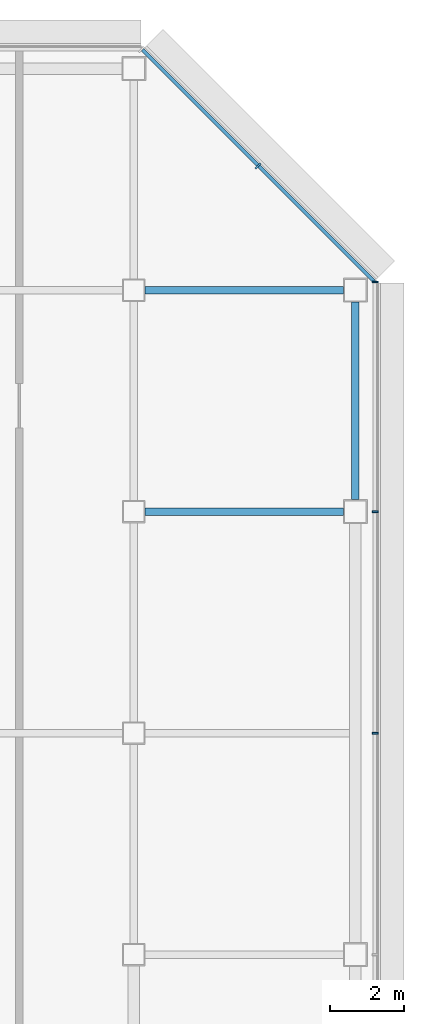
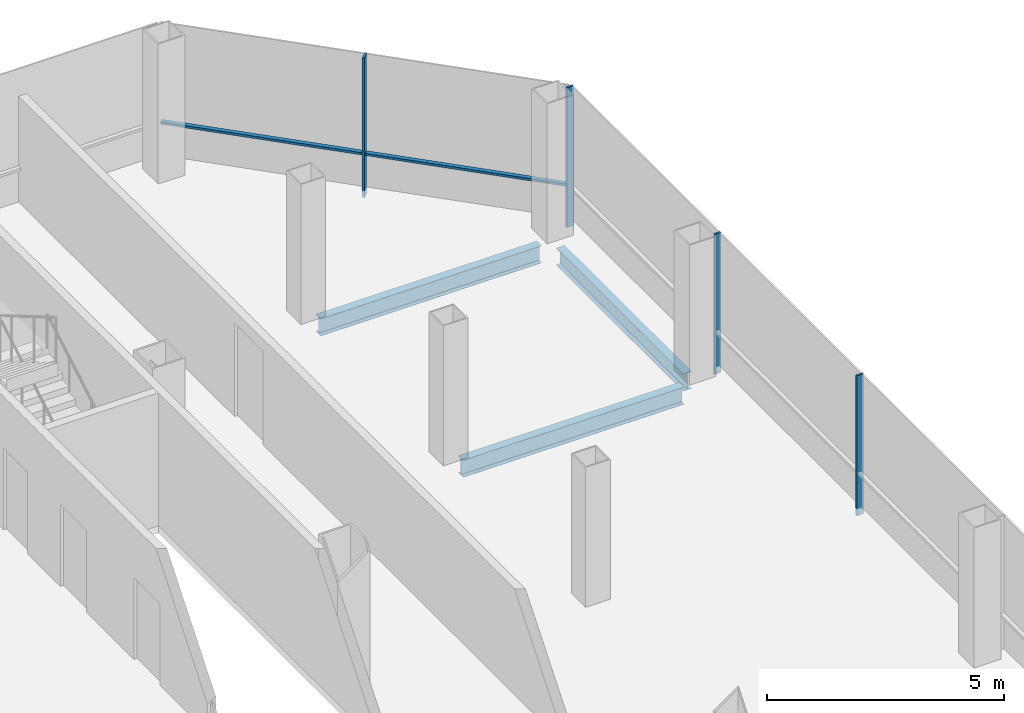
# One storey, part 18 of 27: 5 members, 3 beams, 2 elements without a shape of their own.
"""IFC4 building model written with IfcOpenShell, lengths in metres."""

from ifc_helpers import new_model, si_unit, direction, frame, origin, origin_2d, place, context, subcontext, project, spatial, rectangle, i_section, extrude, material, material_profile, profile_set, type_object, element, aggregate, save


model = new_model("IFC4")

# Units and contexts
model_context = context("Model", 3, precision=1e-05, world=origin(), true_north=direction((0.0, 1.0)))
body_context = subcontext(model_context, "Body", "Model", "MODEL_VIEW")
ifc_project = project(units=[si_unit("LENGTHUNIT", "METRE"), si_unit("AREAUNIT", "SQUARE_METRE"), si_unit("VOLUMEUNIT", "CUBIC_METRE"), si_unit("PLANEANGLEUNIT", "RADIAN"), si_unit("MASSUNIT", "GRAM", prefix="KILO")], contexts=[model_context])

# Site, building, storey
site_placement = place(None, origin())
site = spatial("IfcSite", under=ifc_project, at=site_placement, CompositionType="ELEMENT")
building_placement = place(site_placement, origin())
building = spatial("IfcBuilding", under=site, at=building_placement, Name="Sorahane Residences", CompositionType="ELEMENT")
storey_placement = place(building_placement, frame((0.0, 0.0, 239.60009765625)))
storey = spatial("IfcBuildingStorey", under=building, at=storey_placement, Name="L56", CompositionType="ELEMENT", Elevation=239.60009765625)

# Curtain wall, members
ifc_material_1 = material(Name="Dark low-e glass and black anodised aluminium", Category="aluminium")
curtain_wall_type_1 = type_object("IfcCurtainWallType", Name="Curtain wall CW-1 Typical unitised wall", PredefinedType="NOTDEFINED", material=ifc_material_1)
curtain_wall_1_placement = place(storey_placement, origin())
curtain_wall_1 = element("IfcCurtainWall", 1, at=curtain_wall_1_placement, inside=storey, type_object=curtain_wall_type_1, Name="CW-1 curtain wall L56 E1", PredefinedType="NOTDEFINED")
ifc_material_2 = material(Name="Black anodised aluminium", Category="aluminium")
ifc_material_profile_1 = material_profile(ifc_material_2, rectangle(XDim=0.159912109375, YDim=0.050048828125, at=origin_2d()), Name="Curtain wall mullion CW-1 black anodised aluminium 50x160")
ifc_profile_set_1 = profile_set([ifc_material_profile_1], Name="Black anodised aluminium")
member_type_1 = type_object("IfcMemberType", Name="Curtain wall mullion CW-1 black anodised aluminium 50x160", PredefinedType="MULLION", material=ifc_profile_set_1)
member_1_placement = place(storey_placement, frame((54.5400390625, 30.0, -0.18017578125), z_axis=(0.0, 0.0, 1.0), x_axis=(1.0, 0.0, 0.0)))
member_1 = element("IfcMember", 2, at=member_1_placement, type_object=member_type_1, Name="CW-1 mullion L56 E1.5", PredefinedType="MULLION", context=body_context, shape_type="SweptSolid", body=[
    extrude(rectangle(XDim=0.159912109375, YDim=0.050048828125, at=origin_2d()), origin(), (0.0, 0.0, 1.0), 3.60009765625),
])
member_2_placement = place(storey_placement, frame((54.5400390625, 36.0, -0.18017578125), z_axis=(0.0, 0.0, 1.0), x_axis=(1.0, 0.0, 0.0)))
member_2 = element("IfcMember", 3, at=member_2_placement, type_object=member_type_1, Name="CW-1 mullion L56 E1.6", PredefinedType="MULLION", context=body_context, shape_type="SweptSolid", body=[
    extrude(rectangle(XDim=0.159912109375, YDim=0.050048828125, at=origin_2d()), origin(), (0.0, 0.0, 1.0), 3.60009765625),
])
member_3_placement = place(storey_placement, frame((54.5400390625, 42.2236328125, -0.18017578125), z_axis=(0.0, 0.0, 1.0), x_axis=(1.0, 0.0, 0.0)))
member_3 = element("IfcMember", 4, at=member_3_placement, type_object=member_type_1, Name="CW-1 mullion L56 E1.7", PredefinedType="MULLION", context=body_context, shape_type="SweptSolid", body=[
    extrude(rectangle(XDim=0.159912109375, YDim=0.050048828125, at=origin_2d()), origin(), (0.0, 0.0, 1.0), 3.60009765625),
])
aggregate(curtain_wall_1, [member_1, member_2, member_3])

ifc_material_3 = material(Name="Dark low-e glass and black anodised aluminium", Category="aluminium")
curtain_wall_type_2 = type_object("IfcCurtainWallType", Name="Curtain wall CW-2 Chamfer unitised wall", PredefinedType="NOTDEFINED", material=ifc_material_3)
curtain_wall_2_placement = place(storey_placement, origin())
curtain_wall_2 = element("IfcCurtainWall", 5, at=curtain_wall_2_placement, inside=storey, type_object=curtain_wall_type_2, Name="CW-2 curtain wall L56 NE1", PredefinedType="NOTDEFINED")
ifc_material_4 = material(Name="Black anodised aluminium", Category="aluminium")
ifc_material_profile_2 = material_profile(ifc_material_4, rectangle(XDim=0.199951171875, YDim=0.050048828125, at=origin_2d()), Name="Curtain wall mullion CW-2 black anodised aluminium 50x200")
ifc_profile_set_2 = profile_set([ifc_material_profile_2], Name="Black anodised aluminium")
member_type_2 = type_object("IfcMemberType", Name="Curtain wall mullion CW-2 black anodised aluminium 50x200", PredefinedType="MULLION", material=ifc_profile_set_2)
member_4_placement = place(storey_placement, frame((51.36767578125, 45.36767578125, -0.18017578125), z_axis=(0.0, 0.0, 1.0), x_axis=(0.707106781187, 0.707106781187, 0.0)))
member_4 = element("IfcMember", 6, at=member_4_placement, type_object=member_type_2, Name="CW-2 mullion L56 NE1.2", PredefinedType="MULLION", context=body_context, shape_type="SweptSolid", body=[
    extrude(rectangle(XDim=0.199951171875, YDim=0.050048828125, at=origin_2d()), origin(), (0.0, 0.0, 1.0), 3.60009765625),
])
ifc_material_5 = material(Name="Black anodised aluminium", Category="aluminium")
ifc_material_profile_3 = material_profile(ifc_material_5, rectangle(XDim=0.10009765625, YDim=0.06005859375, at=origin_2d()), Name="Curtain wall transom CW-2 black anodised aluminium 60x100")
ifc_profile_set_3 = profile_set([ifc_material_profile_3], Name="Black anodised aluminium")
member_type_3 = type_object("IfcMemberType", Name="Curtain wall transom CW-2 black anodised aluminium 60x100", PredefinedType="USERDEFINED", material=ifc_profile_set_3)
member_5_placement = place(storey_placement, frame((54.51513671875, 42.234375, 0.89990234375), z_axis=(-0.707106781187, 0.707106781187, 0.0), x_axis=(-0.707106781187, -0.707106781187, 0.0)))
member_5 = element("IfcMember", 7, at=member_5_placement, type_object=member_type_3, Name="CW-2 transom L56 NE1", ObjectType="TRANSOM", PredefinedType="USERDEFINED", context=body_context, shape_type="SweptSolid", body=[
    extrude(rectangle(XDim=0.10009765625, YDim=0.06005859375, at=origin_2d()), origin(), (0.0, 0.0, 1.0), 8.88232421875),
])
aggregate(curtain_wall_2, [member_4, member_5])

# Beams
ifc_material_6 = material(Name="Steel Q355B", Category="steel")
ifc_material_profile_4 = material_profile(ifc_material_6, i_section(OverallWidth=0.199951171875, OverallDepth=0.449951171875, WebThickness=0.009033203125, FlangeThickness=0.013916015625, FilletRadius=0.02001953125, at=origin_2d()), Name="HN 450x200x9x14")
ifc_profile_set_4 = profile_set([ifc_material_profile_4], Name="Steel Q355B")
beam_type = type_object("IfcBeamType", Name="Steel floor beam HN 450x200x9x14 Q355B", PredefinedType="BEAM", material=ifc_profile_set_4)
beam_1_placement = place(storey_placement, frame((48.300048828125, 36.0, -0.405029296875), z_axis=(1.0, 0.0, 0.0), x_axis=(0.0, 1.0, 0.0)))
element("IfcBeam", 8, at=beam_1_placement, inside=storey, type_object=beam_type, Name="Beam L56 014", PredefinedType="BEAM", context=body_context, shape_type="SweptSolid", body=[
    extrude(i_section(OverallWidth=0.199951171875, OverallDepth=0.449951171875, WebThickness=0.009033203125, FlangeThickness=0.013916015625, FilletRadius=0.02001953125, at=origin_2d()), origin(), (0.0, 0.0, 1.0), 5.375),
])
beam_2_placement = place(storey_placement, frame((54.0, 36.324951171875, -0.405029296875), z_axis=(0.0, 1.0, 0.0), x_axis=(-1.0, 0.0, 0.0)))
element("IfcBeam", 9, at=beam_2_placement, inside=storey, type_object=beam_type, Name="Beam L56 067", PredefinedType="BEAM", context=body_context, shape_type="SweptSolid", body=[
    extrude(i_section(OverallWidth=0.199951171875, OverallDepth=0.449951171875, WebThickness=0.009033203125, FlangeThickness=0.013916015625, FilletRadius=0.02001953125, at=origin_2d()), origin(), (0.0, 0.0, 1.0), 5.35009765625),
])
beam_3_placement = place(storey_placement, frame((48.300048828125, 42.0, -0.405029296875), z_axis=(1.0, 0.0, 0.0), x_axis=(0.0, 1.0, 0.0)))
element("IfcBeam", 10, at=beam_3_placement, inside=storey, type_object=beam_type, Name="Beam L56 092", PredefinedType="BEAM", context=body_context, shape_type="SweptSolid", body=[
    extrude(i_section(OverallWidth=0.199951171875, OverallDepth=0.449951171875, WebThickness=0.009033203125, FlangeThickness=0.013916015625, FilletRadius=0.02001953125, at=origin_2d()), origin(), (0.0, 0.0, 1.0), 5.375),
])

save(model, "model.ifc")
